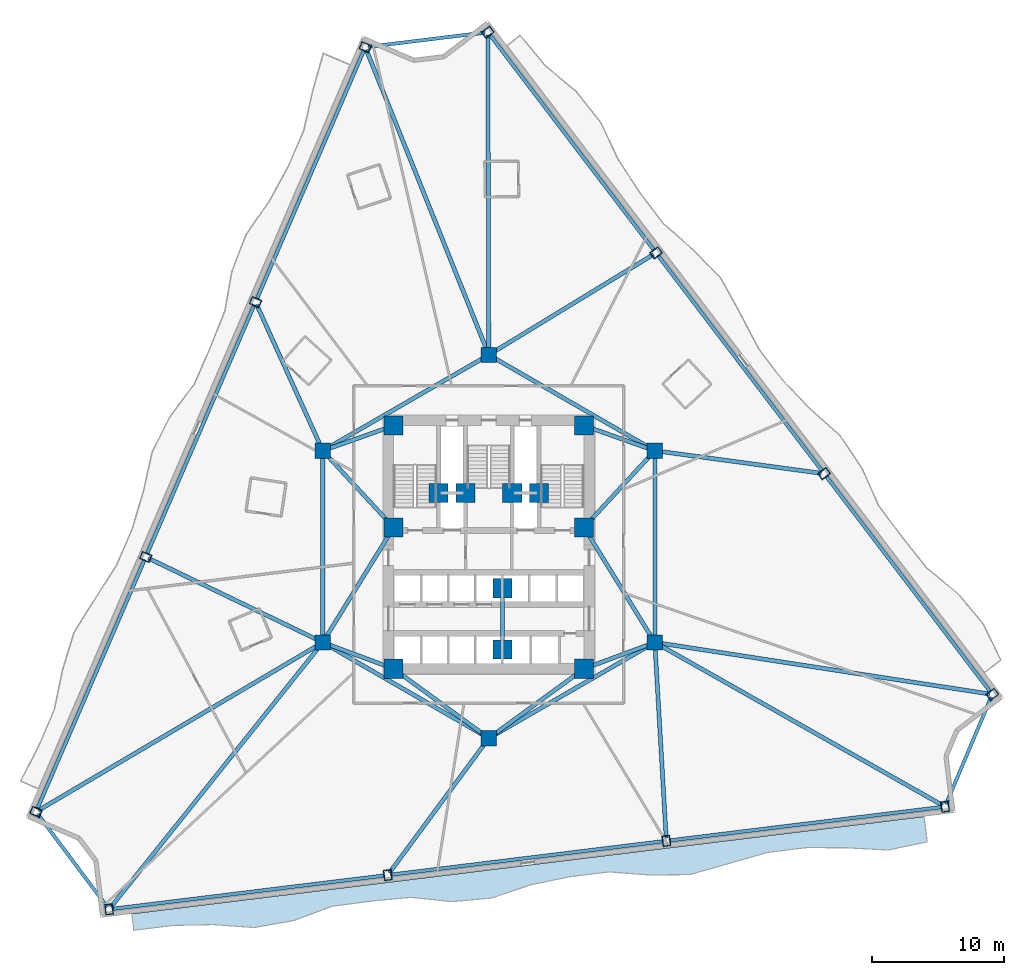
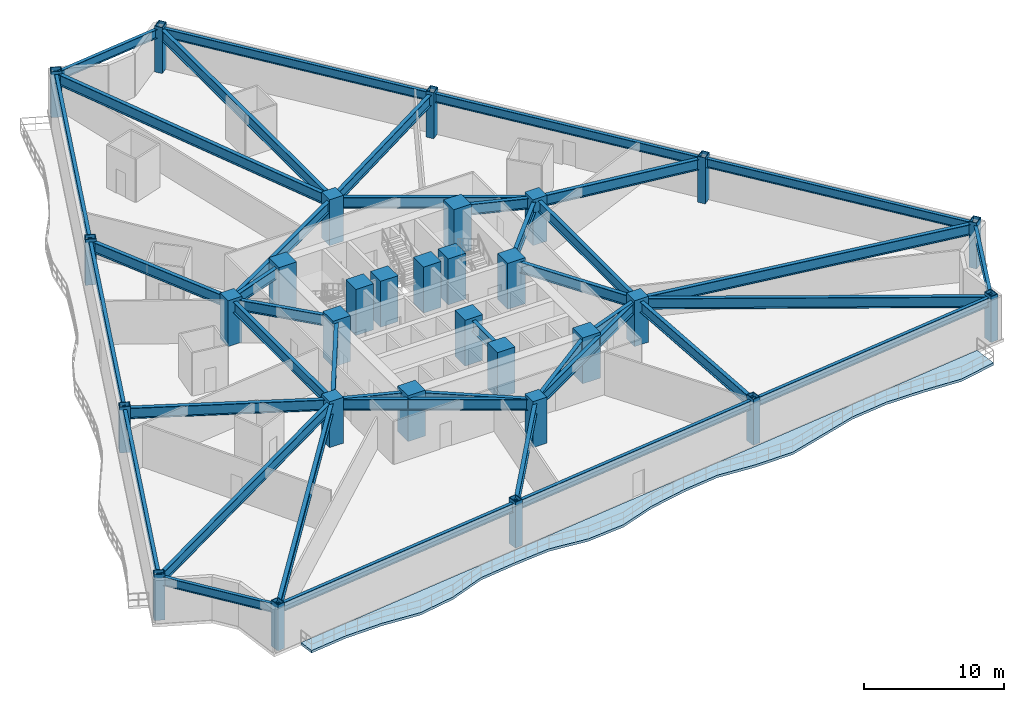
# One storey, part 1 of 12: 41 beams, 30 columns, 1 slab.
"""IFC4 building model written with IfcOpenShell, lengths in metres."""

from ifc_helpers import new_model, si_unit, direction, frame, origin, origin_2d, place, context, subcontext, project, spatial, polyline, rectangle, hollow_rectangle, i_section, outline, extrude, material, layer, layer_set, material_profile, profile_set, type_object, element, save


model = new_model("IFC4")

# Units and contexts
model_context = context("Model", 3, precision=1e-05, world=origin(), true_north=direction((0.0, 1.0)))
body_context = subcontext(model_context, "Body", "Model", "MODEL_VIEW")
ifc_project = project(units=[si_unit("LENGTHUNIT", "METRE"), si_unit("AREAUNIT", "SQUARE_METRE"), si_unit("VOLUMEUNIT", "CUBIC_METRE"), si_unit("PLANEANGLEUNIT", "RADIAN"), si_unit("MASSUNIT", "GRAM", prefix="KILO")], contexts=[model_context])

# Site, building, storey
site_placement = place(None, origin())
site = spatial("IfcSite", under=ifc_project, at=site_placement, CompositionType="ELEMENT")
building_placement = place(site_placement, origin())
building = spatial("IfcBuilding", under=site, at=building_placement, Name="Apsidion Concourse Tower", CompositionType="ELEMENT")
storey_placement = place(building_placement, frame((0.0, 0.0, 83.0)))
storey = spatial("IfcBuildingStorey", under=building, at=storey_placement, Name="L18", CompositionType="ELEMENT", Elevation=83.0)

# Columns
ifc_material_1 = material(Name="Structural steel ASTM A572 Grade 50", Category="steel")
ifc_material_profile_1 = material_profile(ifc_material_1, hollow_rectangle(XDim=0.60009765625, YDim=0.800048828125, WallThickness=0.050048828125, at=origin_2d()), Name="BOX800X600X50")
ifc_profile_set_1 = profile_set([ifc_material_profile_1], Name="Structural steel ASTM A572 Grade 50")
column_type_1 = type_object("IfcColumnType", Name="COL-BOX-800", PredefinedType="COLUMN", material=ifc_profile_set_1)
for number, where, z_axis, x_axis, name in (
    (1, (-9.34423828125, 37.77685546875, 0.0), (0.0, 0.0, 1.0), (0.395545502563, 0.918446381343, 0.0), "L18 Rotated Perimeter Column PC01"),
    (2, (-17.64794921875, 18.49462890625, 0.0), (0.0, 0.0, 1.0), (0.395545502563, 0.918446381343, 0.0), "L18 Rotated Perimeter Column PC02"),
    (3, (-25.95166015625, -0.787353515625, 0.0), (0.0, 0.0, 1.0), (0.395545502563, 0.918446381343, 0.0), "L18 Rotated Perimeter Column PC03"),
    (4, (-34.25537109375, -20.069580078125, 0.0), (0.0, 0.0, 1.0), (0.395545502563, 0.918446381343, 0.0), "L18 Rotated Perimeter Column PC04"),
    (5, (-28.72802734375, -27.4443359375, 0.0), (0.0, 0.0, 1.0), (0.992546151641, 0.121869343405, 0.0), "L18 Rotated Perimeter Column PC05"),
    (6, (-7.647216796875, -24.85595703125, 0.0), (0.0, 0.0, 1.0), (0.992546151641, 0.121869343405, 0.0), "L18 Rotated Perimeter Column PC06"),
    (7, (13.433349609375, -22.267578125, 0.0), (0.0, 0.0, 1.0), (0.992546151641, 0.121869343405, 0.0), "L18 Rotated Perimeter Column PC07"),
    (8, (34.51416015625, -19.67919921875, 0.0), (0.0, 0.0, 1.0), (0.992546151641, 0.121869343405, 0.0), "L18 Rotated Perimeter Column PC08"),
    (9, (38.093017578125, -11.186279296875, 0.0), (0.0, 0.0, 1.0), (-0.605988400266, 0.795473480855, 0.0), "L18 Rotated Perimeter Column PC09"),
    (10, (25.371337890625, 5.514404296875, 0.0), (0.0, 0.0, 1.0), (-0.605988400266, 0.795473480855, 0.0), "L18 Rotated Perimeter Column PC10"),
    (11, (12.6494140625, 22.214599609375, 0.0), (0.0, 0.0, 1.0), (-0.605988400266, 0.795473480855, 0.0), "L18 Rotated Perimeter Column PC11"),
    (12, (-0.072265625, 38.915283203125, 0.0), (0.0, 0.0, 1.0), (-0.605988400266, 0.795473480855, 0.0), "L18 Rotated Perimeter Column PC12"),
):
    element("IfcColumn", number, at=place(storey_placement, frame(where, z_axis=z_axis, x_axis=x_axis)), inside=storey, type_object=column_type_1, Name=name, PredefinedType="COLUMN", context=body_context, shape_type="SweptSolid", body=[
        extrude(hollow_rectangle(XDim=0.60009765625, YDim=0.800048828125, WallThickness=0.050048828125, at=origin_2d()), origin(), (0.0, 0.0, 1.0), 4.0),
    ])
ifc_material_2 = material(Name="Concrete C50/60", Category="concrete")
ifc_material_profile_2 = material_profile(ifc_material_2, rectangle(XDim=1.14990234375, YDim=1.14990234375, at=origin_2d()), Name="RC 1150x1150")
ifc_profile_set_2 = profile_set([ifc_material_profile_2], Name="Concrete C50/60")
column_type_2 = type_object("IfcColumnType", Name="COL-RC-1150", PredefinedType="COLUMN", material=ifc_profile_set_2)
for number, where, z_axis, x_axis, name in (
    (13, (-12.56005859375, -7.25, 0.0), (0.0, 0.0, 1.0), (1.0, 0.0, 0.0), "L18 Interior Spine Column IC1"),
    (14, (12.56005859375, -7.25, 0.0), (0.0, 0.0, 1.0), (1.0, 0.0, 0.0), "L18 Interior Spine Column IC2"),
    (15, (12.56005859375, 7.25, 0.0), (0.0, 0.0, 1.0), (1.0, 0.0, 0.0), "L18 Interior Spine Column IC3"),
    (16, (0.0, 14.5, 0.0), (0.0, 0.0, 1.0), (1.0, 0.0, 0.0), "L18 Interior Spine Column IC4"),
    (17, (-12.56005859375, 7.25, 0.0), (0.0, 0.0, 1.0), (1.0, 0.0, 0.0), "L18 Interior Spine Column IC5"),
    (18, (0.0, -14.5, 0.0), (0.0, 0.0, 1.0), (1.0, 0.0, 0.0), "L18 Interior Spine Column IC6"),
):
    element("IfcColumn", number, at=place(storey_placement, frame(where, z_axis=z_axis, x_axis=x_axis)), inside=storey, type_object=column_type_2, Name=name, PredefinedType="COLUMN", context=body_context, shape_type="SweptSolid", body=[
        extrude(rectangle(XDim=1.14990234375, YDim=1.14990234375, at=origin_2d()), origin(), (0.0, 0.0, 1.0), 4.0),
    ])
ifc_material_3 = material(Name="Concrete C60/75", Category="concrete")
ifc_material_profile_3 = material_profile(ifc_material_3, rectangle(XDim=1.449951171875, YDim=1.449951171875, at=origin_2d()), Name="RC 1450x1450")
ifc_profile_set_3 = profile_set([ifc_material_profile_3], Name="Concrete C60/75")
column_type_3 = type_object("IfcColumnType", Name="COL-RC-1450", PredefinedType="COLUMN", material=ifc_profile_set_3)
for number, where, z_axis, x_axis, name in (
    (19, (-7.199951171875, -9.25, 0.0), (0.0, 0.0, 1.0), (1.0, 0.0, 0.0), "L18 Core Super-Column SC1"),
    (20, (7.199951171875, -9.25, 0.0), (0.0, 0.0, 1.0), (1.0, 0.0, 0.0), "L18 Core Super-Column SC2"),
    (21, (7.199951171875, 1.449951171875, 0.0), (0.0, 0.0, 1.0), (1.0, 0.0, 0.0), "L18 Core Super-Column SC3"),
    (22, (7.199951171875, 9.14990234375, 0.0), (0.0, 0.0, 1.0), (1.0, 0.0, 0.0), "L18 Core Super-Column SC4"),
    (23, (-7.199951171875, 9.14990234375, 0.0), (0.0, 0.0, 1.0), (1.0, 0.0, 0.0), "L18 Core Super-Column SC5"),
    (24, (-7.199951171875, 1.449951171875, 0.0), (0.0, 0.0, 1.0), (1.0, 0.0, 0.0), "L18 Core Super-Column SC6"),
    (25, (-3.800048828125, 4.050048828125, 0.0), (0.0, 0.0, 1.0), (1.0, 0.0, 0.0), "L18 Core Super-Column CC1"),
    (26, (3.800048828125, 4.050048828125, 0.0), (0.0, 0.0, 1.0), (1.0, 0.0, 0.0), "L18 Core Super-Column CC2"),
    (27, (-1.77490234375, 4.050048828125, 0.0), (0.0, 0.0, 1.0), (1.0, 0.0, 0.0), "L18 Core Super-Column CC3"),
    (28, (1.77490234375, 4.050048828125, 0.0), (0.0, 0.0, 1.0), (1.0, 0.0, 0.0), "L18 Core Super-Column CC4"),
    (29, (1.02490234375, -3.14990234375, 0.0), (0.0, 0.0, 1.0), (1.0, 0.0, 0.0), "L18 Core Super-Column CC5"),
    (30, (1.02490234375, -7.800048828125, 0.0), (0.0, 0.0, 1.0), (1.0, 0.0, 0.0), "L18 Core Super-Column CC6"),
):
    element("IfcColumn", number, at=place(storey_placement, frame(where, z_axis=z_axis, x_axis=x_axis)), inside=storey, type_object=column_type_3, Name=name, PredefinedType="COLUMN", context=body_context, shape_type="SweptSolid", body=[
        extrude(rectangle(XDim=1.449951171875, YDim=1.449951171875, at=origin_2d()), origin(), (0.0, 0.0, 1.0), 4.0),
    ])

# Beams
ifc_material_4 = material(Name="Structural steel ASTM A992 Grade 50", Category="steel")
ifc_material_profile_4 = material_profile(ifc_material_4, i_section(OverallWidth=0.31005859375, OverallDepth=0.931884765625, WebThickness=0.02099609375, FlangeThickness=0.034423828125, at=origin_2d()), Name="W36X210")
ifc_profile_set_4 = profile_set([ifc_material_profile_4], Name="Structural steel ASTM A992 Grade 50")
beam_type_1 = type_object("IfcBeamType", Name="BM-G-W36", PredefinedType="USERDEFINED", material=ifc_profile_set_4)
beam_1_placement = place(storey_placement, frame((-12.185302734375, -7.389892578125, 3.283935546875), z_axis=(0.936913021145, -0.349562570664, 0.0), x_axis=(0.349562570664, 0.936913021145, 0.0)))
element("IfcBeam", 31, at=beam_1_placement, inside=storey, type_object=beam_type_1, Name="L18 Core Coupling Girder IC1-SC1", ObjectType="GIRDER", PredefinedType="USERDEFINED", context=body_context, shape_type="SweptSolid", body=[
    extrude(i_section(OverallWidth=0.31005859375, OverallDepth=0.931884765625, WebThickness=0.02099609375, FlangeThickness=0.034423828125, at=origin_2d()), origin(), (0.0, 0.0, 1.0), 4.921142578125),
])
beam_2_placement = place(storey_placement, frame((-12.35009765625, -6.909423828125, 3.283935546875), z_axis=(0.524524009763, 0.851395656074, 0.0), x_axis=(-0.851395656074, 0.524524009763, 0.0)))
element("IfcBeam", 32, at=beam_2_placement, inside=storey, type_object=beam_type_1, Name="L18 Core Coupling Girder IC1-SC6", ObjectType="GIRDER", PredefinedType="USERDEFINED", context=body_context, shape_type="SweptSolid", body=[
    extrude(i_section(OverallWidth=0.31005859375, OverallDepth=0.931884765625, WebThickness=0.02099609375, FlangeThickness=0.034423828125, at=origin_2d()), origin(), (0.0, 0.0, 1.0), 9.41845703125),
])
beam_3_placement = place(storey_placement, frame((12.185302734375, -7.389892578125, 3.283935546875), z_axis=(-0.936913021145, -0.349562570664, 0.0), x_axis=(0.349562570664, -0.936913021145, 0.0)))
element("IfcBeam", 33, at=beam_3_placement, inside=storey, type_object=beam_type_1, Name="L18 Core Coupling Girder IC2-SC2", ObjectType="GIRDER", PredefinedType="USERDEFINED", context=body_context, shape_type="SweptSolid", body=[
    extrude(i_section(OverallWidth=0.31005859375, OverallDepth=0.931884765625, WebThickness=0.02099609375, FlangeThickness=0.034423828125, at=origin_2d()), origin(), (0.0, 0.0, 1.0), 4.921142578125),
])
beam_4_placement = place(storey_placement, frame((12.35009765625, -6.909423828125, 3.283935546875), z_axis=(-0.524524009763, 0.851395656074, 0.0), x_axis=(-0.851395656074, -0.524524009763, 0.0)))
element("IfcBeam", 34, at=beam_4_placement, inside=storey, type_object=beam_type_1, Name="L18 Core Coupling Girder IC2-SC3", ObjectType="GIRDER", PredefinedType="USERDEFINED", context=body_context, shape_type="SweptSolid", body=[
    extrude(i_section(OverallWidth=0.31005859375, OverallDepth=0.931884765625, WebThickness=0.02099609375, FlangeThickness=0.034423828125, at=origin_2d()), origin(), (0.0, 0.0, 1.0), 9.41845703125),
])
beam_5_placement = place(storey_placement, frame((12.28857421875, 6.956298828125, 3.283935546875), z_axis=(-0.678712876106, -0.73440372535, 0.0), x_axis=(0.73440372535, -0.678712876106, 0.0)))
element("IfcBeam", 35, at=beam_5_placement, inside=storey, type_object=beam_type_1, Name="L18 Core Coupling Girder IC3-SC3", ObjectType="GIRDER", PredefinedType="USERDEFINED", context=body_context, shape_type="SweptSolid", body=[
    extrude(i_section(OverallWidth=0.31005859375, OverallDepth=0.931884765625, WebThickness=0.02099609375, FlangeThickness=0.034423828125, at=origin_2d()), origin(), (0.0, 0.0, 1.0), 7.097412109375),
])
beam_6_placement = place(storey_placement, frame((12.18310546875, 7.383544921875, 3.283935546875), z_axis=(-0.942533844539, 0.334110688094, 0.0), x_axis=(-0.334110688094, -0.942533844539, 0.0)))
element("IfcBeam", 36, at=beam_6_placement, inside=storey, type_object=beam_type_1, Name="L18 Core Coupling Girder IC3-SC4", ObjectType="GIRDER", PredefinedType="USERDEFINED", context=body_context, shape_type="SweptSolid", body=[
    extrude(i_section(OverallWidth=0.31005859375, OverallDepth=0.931884765625, WebThickness=0.02099609375, FlangeThickness=0.034423828125, at=origin_2d()), origin(), (0.0, 0.0, 1.0), 4.886962890625),
])
beam_7_placement = place(storey_placement, frame((-12.28857421875, 6.956298828125, 3.283935546875), z_axis=(0.678712876106, -0.73440372535, 0.0), x_axis=(0.73440372535, 0.678712876106, 0.0)))
element("IfcBeam", 37, at=beam_7_placement, inside=storey, type_object=beam_type_1, Name="L18 Core Coupling Girder IC5-SC6", ObjectType="GIRDER", PredefinedType="USERDEFINED", context=body_context, shape_type="SweptSolid", body=[
    extrude(i_section(OverallWidth=0.31005859375, OverallDepth=0.931884765625, WebThickness=0.02099609375, FlangeThickness=0.034423828125, at=origin_2d()), origin(), (0.0, 0.0, 1.0), 7.097412109375),
])
beam_8_placement = place(storey_placement, frame((-12.18310546875, 7.383544921875, 3.283935546875), z_axis=(0.942533844539, 0.334110688094, 0.0), x_axis=(-0.334110688094, 0.942533844539, 0.0)))
element("IfcBeam", 38, at=beam_8_placement, inside=storey, type_object=beam_type_1, Name="L18 Core Coupling Girder IC5-SC5", ObjectType="GIRDER", PredefinedType="USERDEFINED", context=body_context, shape_type="SweptSolid", body=[
    extrude(i_section(OverallWidth=0.31005859375, OverallDepth=0.931884765625, WebThickness=0.02099609375, FlangeThickness=0.034423828125, at=origin_2d()), origin(), (0.0, 0.0, 1.0), 4.886962890625),
])
for number, where, z_axis, x_axis, name in (
    (39, (-0.3232421875, -14.264404296875, 3.283935546875), (-0.807993498909, 0.589191399905, 0.0), (-0.589191399905, -0.807993498909, 0.0), "L18 Core Coupling Girder IC6-SC1"),
    (40, (0.3232421875, -14.264404296875, 3.283935546875), (0.807993498909, 0.589191399905, 0.0), (-0.589191399905, 0.807993498909, 0.0), "L18 Core Coupling Girder IC6-SC2"),
):
    element("IfcBeam", number, at=place(storey_placement, frame(where, z_axis=z_axis, x_axis=x_axis)), inside=storey, type_object=beam_type_1, Name=name, ObjectType="GIRDER", PredefinedType="USERDEFINED", context=body_context, shape_type="SweptSolid", body=[
        extrude(i_section(OverallWidth=0.31005859375, OverallDepth=0.931884765625, WebThickness=0.02099609375, FlangeThickness=0.034423828125, at=origin_2d()), origin(), (0.0, 0.0, 1.0), 8.11083984375),
    ])
beam_9_placement = place(storey_placement, frame((-12.56005859375, -6.85009765625, 3.283935546875), z_axis=(0.0, 1.0, 0.0), x_axis=(-1.0, 0.0, 0.0)))
element("IfcBeam", 41, at=beam_9_placement, inside=storey, type_object=beam_type_1, Name="L18 Core Coupling Girder IC1-IC5", ObjectType="GIRDER", PredefinedType="USERDEFINED", context=body_context, shape_type="SweptSolid", body=[
    extrude(i_section(OverallWidth=0.31005859375, OverallDepth=0.931884765625, WebThickness=0.02099609375, FlangeThickness=0.034423828125, at=origin_2d()), origin(), (0.0, 0.0, 1.0), 13.7001953125),
])
for number, where, z_axis, x_axis, name in (
    (42, (-12.213623046875, 7.449951171875, 3.283935546875), (0.866070471464, 0.499921932364, 0.0), (-0.499921932364, 0.866070471464, 0.0), "L18 Core Coupling Girder IC5-IC4"),
    (43, (0.346435546875, 14.300048828125, 3.283935546875), (0.866070471464, -0.499921932364, 0.0), (0.499921932364, 0.866070471464, 0.0), "L18 Core Coupling Girder IC4-IC3"),
):
    element("IfcBeam", number, at=place(storey_placement, frame(where, z_axis=z_axis, x_axis=x_axis)), inside=storey, type_object=beam_type_1, Name=name, ObjectType="GIRDER", PredefinedType="USERDEFINED", context=body_context, shape_type="SweptSolid", body=[
        extrude(i_section(OverallWidth=0.31005859375, OverallDepth=0.931884765625, WebThickness=0.02099609375, FlangeThickness=0.034423828125, at=origin_2d()), origin(), (0.0, 0.0, 1.0), 13.702392578125),
    ])
beam_10_placement = place(storey_placement, frame((12.56005859375, 6.85009765625, 3.283935546875), z_axis=(0.0, -1.0, 0.0), x_axis=(1.0, 0.0, 0.0)))
element("IfcBeam", 44, at=beam_10_placement, inside=storey, type_object=beam_type_1, Name="L18 Core Coupling Girder IC3-IC2", ObjectType="GIRDER", PredefinedType="USERDEFINED", context=body_context, shape_type="SweptSolid", body=[
    extrude(i_section(OverallWidth=0.31005859375, OverallDepth=0.931884765625, WebThickness=0.02099609375, FlangeThickness=0.034423828125, at=origin_2d()), origin(), (0.0, 0.0, 1.0), 13.7001953125),
])
for number, where, z_axis, x_axis, name in (
    (45, (12.213623046875, -7.449951171875, 3.283935546875), (-0.866070471464, -0.499921932364, 0.0), (0.499921932364, -0.866070471464, 0.0), "L18 Core Coupling Girder IC2-IC6"),
    (46, (-0.346435546875, -14.300048828125, 3.283935546875), (-0.866070471464, 0.499921932364, 0.0), (-0.499921932364, -0.866070471464, 0.0), "L18 Core Coupling Girder IC6-IC1"),
):
    element("IfcBeam", number, at=place(storey_placement, frame(where, z_axis=z_axis, x_axis=x_axis)), inside=storey, type_object=beam_type_1, Name=name, ObjectType="GIRDER", PredefinedType="USERDEFINED", context=body_context, shape_type="SweptSolid", body=[
        extrude(i_section(OverallWidth=0.31005859375, OverallDepth=0.931884765625, WebThickness=0.02099609375, FlangeThickness=0.034423828125, at=origin_2d()), origin(), (0.0, 0.0, 1.0), 13.702392578125),
    ])
beam_11_placement = place(storey_placement, frame((1.02490234375, -3.550048828125, 3.283935546875), z_axis=(0.0, -1.0, 0.0), x_axis=(1.0, 0.0, 0.0)))
element("IfcBeam", 47, at=beam_11_placement, inside=storey, type_object=beam_type_1, Name="L18 Core Coupling Girder CC5-CC6", ObjectType="GIRDER", PredefinedType="USERDEFINED", context=body_context, shape_type="SweptSolid", body=[
    extrude(i_section(OverallWidth=0.31005859375, OverallDepth=0.931884765625, WebThickness=0.02099609375, FlangeThickness=0.034423828125, at=origin_2d()), origin(), (0.0, 0.0, 1.0), 3.849853515625),
])
beam_12_placement = place(storey_placement, frame((-0.08203125, 14.7041015625, 3.283935546875), z_axis=(-0.372538285094, 0.928016824276, 0.0), x_axis=(-0.928016824276, -0.372538285094, 0.0)))
element("IfcBeam", 48, at=beam_12_placement, inside=storey, type_object=beam_type_1, Name="L18 Radial Floor Girder RAD-01", ObjectType="GIRDER", PredefinedType="USERDEFINED", context=body_context, shape_type="SweptSolid", body=[
    extrude(i_section(OverallWidth=0.31005859375, OverallDepth=0.931884765625, WebThickness=0.02099609375, FlangeThickness=0.034423828125, at=origin_2d()), origin(), (0.0, 0.0, 1.0), 24.642333984375),
])
beam_13_placement = place(storey_placement, frame((-12.650634765625, 7.450439453125, 3.283935546875), z_axis=(-0.412253816474, 0.911069037342, 0.0), x_axis=(-0.911069037342, -0.412253816474, 0.0)))
element("IfcBeam", 49, at=beam_13_placement, inside=storey, type_object=beam_type_1, Name="L18 Radial Floor Girder RAD-02", ObjectType="GIRDER", PredefinedType="USERDEFINED", context=body_context, shape_type="SweptSolid", body=[
    extrude(i_section(OverallWidth=0.31005859375, OverallDepth=0.931884765625, WebThickness=0.02099609375, FlangeThickness=0.034423828125, at=origin_2d()), origin(), (0.0, 0.0, 1.0), 11.90234375),
])
beam_14_placement = place(storey_placement, frame((-12.758056640625, -7.154296875, 3.283935546875), z_axis=(-0.900619466143, 0.434608533286, 0.0), x_axis=(-0.434608533286, -0.900619466143, 0.0)))
element("IfcBeam", 50, at=beam_14_placement, inside=storey, type_object=beam_type_1, Name="L18 Radial Floor Girder RAD-03", ObjectType="GIRDER", PredefinedType="USERDEFINED", context=body_context, shape_type="SweptSolid", body=[
    extrude(i_section(OverallWidth=0.31005859375, OverallDepth=0.931884765625, WebThickness=0.02099609375, FlangeThickness=0.034423828125, at=origin_2d()), origin(), (0.0, 0.0, 1.0), 14.4296875),
])
beam_15_placement = place(storey_placement, frame((-12.74951171875, -7.36181640625, 3.283935546875), z_axis=(-0.860932809824, -0.508718681561, 0.0), x_axis=(0.508718681561, -0.860932809824, 0.0)))
element("IfcBeam", 51, at=beam_15_placement, inside=storey, type_object=beam_type_1, Name="L18 Radial Floor Girder RAD-04", ObjectType="GIRDER", PredefinedType="USERDEFINED", context=body_context, shape_type="SweptSolid", body=[
    extrude(i_section(OverallWidth=0.31005859375, OverallDepth=0.931884765625, WebThickness=0.02099609375, FlangeThickness=0.034423828125, at=origin_2d()), origin(), (0.0, 0.0, 1.0), 24.759765625),
])
beam_16_placement = place(storey_placement, frame((-12.697509765625, -7.421630859375, 3.283935546875), z_axis=(-0.624987708563, -0.780634590667, 0.0), x_axis=(0.780634590667, -0.624987708563, 0.0)))
element("IfcBeam", 52, at=beam_16_placement, inside=storey, type_object=beam_type_1, Name="L18 Radial Floor Girder RAD-05", ObjectType="GIRDER", PredefinedType="USERDEFINED", context=body_context, shape_type="SweptSolid", body=[
    extrude(i_section(OverallWidth=0.31005859375, OverallDepth=0.931884765625, WebThickness=0.02099609375, FlangeThickness=0.034423828125, at=origin_2d()), origin(), (0.0, 0.0, 1.0), 25.429443359375),
])
beam_17_placement = place(storey_placement, frame((-0.130615234375, -14.677001953125, 3.283935546875), z_axis=(-0.594039313688, -0.804436009757, 0.0), x_axis=(0.804436009757, -0.594039313688, 0.0)))
element("IfcBeam", 53, at=beam_17_placement, inside=storey, type_object=beam_type_1, Name="L18 Radial Floor Girder RAD-06", ObjectType="GIRDER", PredefinedType="USERDEFINED", context=body_context, shape_type="SweptSolid", body=[
    extrude(i_section(OverallWidth=0.31005859375, OverallDepth=0.931884765625, WebThickness=0.02099609375, FlangeThickness=0.034423828125, at=origin_2d()), origin(), (0.0, 0.0, 1.0), 12.43359375),
])
beam_18_placement = place(storey_placement, frame((12.57275390625, -7.469482421875, 3.283935546875), z_axis=(0.058062445762, -0.998312953133, 0.0), x_axis=(0.998312953133, 0.058062445762, 0.0)))
element("IfcBeam", 54, at=beam_18_placement, inside=storey, type_object=beam_type_1, Name="L18 Radial Floor Girder RAD-07", ObjectType="GIRDER", PredefinedType="USERDEFINED", context=body_context, shape_type="SweptSolid", body=[
    extrude(i_section(OverallWidth=0.31005859375, OverallDepth=0.931884765625, WebThickness=0.02099609375, FlangeThickness=0.034423828125, at=origin_2d()), origin(), (0.0, 0.0, 1.0), 14.603271484375),
])
beam_19_placement = place(storey_placement, frame((12.75146484375, -7.3583984375, 3.283935546875), z_axis=(0.870218136179, -0.492666616958, 0.0), x_axis=(0.492666616958, 0.870218136179, 0.0)))
element("IfcBeam", 55, at=beam_19_placement, inside=storey, type_object=beam_type_1, Name="L18 Radial Floor Girder RAD-08", ObjectType="GIRDER", PredefinedType="USERDEFINED", context=body_context, shape_type="SweptSolid", body=[
    extrude(i_section(OverallWidth=0.31005859375, OverallDepth=0.931884765625, WebThickness=0.02099609375, FlangeThickness=0.034423828125, at=origin_2d()), origin(), (0.0, 0.0, 1.0), 24.788330078125),
])
beam_20_placement = place(storey_placement, frame((12.77734375, -7.283447265625, 3.283935546875), z_axis=(0.98832519419, -0.152359149806, 0.0), x_axis=(0.152359149806, 0.98832519419, 0.0)))
element("IfcBeam", 56, at=beam_20_placement, inside=storey, type_object=beam_type_1, Name="L18 Radial Floor Girder RAD-09", ObjectType="GIRDER", PredefinedType="USERDEFINED", context=body_context, shape_type="SweptSolid", body=[
    extrude(i_section(OverallWidth=0.31005859375, OverallDepth=0.931884765625, WebThickness=0.02099609375, FlangeThickness=0.034423828125, at=origin_2d()), origin(), (0.0, 0.0, 1.0), 25.394775390625),
])
beam_21_placement = place(storey_placement, frame((12.778076171875, 7.220458984375, 3.283935546875), z_axis=(0.990945318587, -0.134266062618, 0.0), x_axis=(0.134266062618, 0.990945318587, 0.0)))
element("IfcBeam", 57, at=beam_21_placement, inside=storey, type_object=beam_type_1, Name="L18 Radial Floor Girder RAD-10", ObjectType="GIRDER", PredefinedType="USERDEFINED", context=body_context, shape_type="SweptSolid", body=[
    extrude(i_section(OverallWidth=0.31005859375, OverallDepth=0.931884765625, WebThickness=0.02099609375, FlangeThickness=0.034423828125, at=origin_2d()), origin(), (0.0, 0.0, 1.0), 12.48828125),
])
beam_22_placement = place(storey_placement, frame((0.187744140625, 14.614501953125, 3.283935546875), z_axis=(0.853749961822, 0.520683207611, 0.0), x_axis=(-0.520683207611, 0.853749961822, 0.0)))
element("IfcBeam", 58, at=beam_22_placement, inside=storey, type_object=beam_type_1, Name="L18 Radial Floor Girder RAD-11", ObjectType="GIRDER", PredefinedType="USERDEFINED", context=body_context, shape_type="SweptSolid", body=[
    extrude(i_section(OverallWidth=0.31005859375, OverallDepth=0.931884765625, WebThickness=0.02099609375, FlangeThickness=0.034423828125, at=origin_2d()), origin(), (0.0, 0.0, 1.0), 14.37646484375),
])
beam_23_placement = place(storey_placement, frame((-0.000732421875, 14.719970703125, 3.283935546875), z_axis=(-0.002953053731, 0.999995639727, 0.0), x_axis=(-0.999995639727, -0.002953053731, 0.0)))
element("IfcBeam", 59, at=beam_23_placement, inside=storey, type_object=beam_type_1, Name="L18 Radial Floor Girder RAD-12", ObjectType="GIRDER", PredefinedType="USERDEFINED", context=body_context, shape_type="SweptSolid", body=[
    extrude(i_section(OverallWidth=0.31005859375, OverallDepth=0.931884765625, WebThickness=0.02099609375, FlangeThickness=0.034423828125, at=origin_2d()), origin(), (0.0, 0.0, 1.0), 23.975341796875),
])
ifc_material_profile_5 = material_profile(ifc_material_4, i_section(OverallWidth=0.26806640625, OverallDepth=0.77001953125, WebThickness=0.015625, FlangeThickness=0.025390625, at=origin_2d()), Name="W30X132")
ifc_profile_set_5 = profile_set([ifc_material_profile_5], Name="Structural steel ASTM A992 Grade 50")
beam_type_2 = type_object("IfcBeamType", Name="BM-SP-W30", PredefinedType="SPANDREL", material=ifc_profile_set_5)
beam_24_placement = place(storey_placement, frame((-9.431396484375, 37.57470703125, 3.364990234375), z_axis=(-0.395525708749, -0.918454905653, 0.0), x_axis=(0.918454905653, -0.395525708749, 0.0)))
element("IfcBeam", 60, at=beam_24_placement, inside=storey, type_object=beam_type_2, Name="L18 Perimeter Spandrel Girder SP-01", PredefinedType="SPANDREL", context=body_context, shape_type="SweptSolid", body=[
    extrude(i_section(OverallWidth=0.26806640625, OverallDepth=0.77001953125, WebThickness=0.015625, FlangeThickness=0.025390625, at=origin_2d()), origin(), (0.0, 0.0, 1.0), 20.553955078125),
])
beam_25_placement = place(storey_placement, frame((-17.735107421875, 18.29248046875, 3.364990234375), z_axis=(-0.395530023745, -0.918453047421, 0.0), x_axis=(0.918453047421, -0.395530023745, 0.0)))
element("IfcBeam", 61, at=beam_25_placement, inside=storey, type_object=beam_type_2, Name="L18 Perimeter Spandrel Girder SP-02", PredefinedType="SPANDREL", context=body_context, shape_type="SweptSolid", body=[
    extrude(i_section(OverallWidth=0.26806640625, OverallDepth=0.77001953125, WebThickness=0.015625, FlangeThickness=0.025390625, at=origin_2d()), origin(), (0.0, 0.0, 1.0), 20.5537109375),
])
beam_26_placement = place(storey_placement, frame((-26.038818359375, -0.989501953125, 3.364990234375), z_axis=(-0.395525708749, -0.918454905653, 0.0), x_axis=(0.918454905653, -0.395525708749, 0.0)))
element("IfcBeam", 62, at=beam_26_placement, inside=storey, type_object=beam_type_2, Name="L18 Perimeter Spandrel Girder SP-03", PredefinedType="SPANDREL", context=body_context, shape_type="SweptSolid", body=[
    extrude(i_section(OverallWidth=0.26806640625, OverallDepth=0.77001953125, WebThickness=0.015625, FlangeThickness=0.025390625, at=origin_2d()), origin(), (0.0, 0.0, 1.0), 20.553955078125),
])
beam_27_placement = place(storey_placement, frame((-34.12353515625, -20.24560546875, 3.364990234375), z_axis=(0.59973736177, -0.800196911327, 0.0), x_axis=(0.800196911327, 0.59973736177, 0.0)))
element("IfcBeam", 63, at=beam_27_placement, inside=storey, type_object=beam_type_2, Name="L18 Perimeter Spandrel Girder SP-04", PredefinedType="SPANDREL", context=body_context, shape_type="SweptSolid", body=[
    extrude(i_section(OverallWidth=0.26806640625, OverallDepth=0.77001953125, WebThickness=0.015625, FlangeThickness=0.025390625, at=origin_2d()), origin(), (0.0, 0.0, 1.0), 8.776123046875),
])
for number, where, z_axis, x_axis, name in (
    (64, (-28.509765625, -27.41748046875, 3.364990234375), (0.992546743565, 0.121864522478, 0.0), (-0.121864522478, 0.992546743565, 0.0), "L18 Perimeter Spandrel Girder SP-05"),
    (65, (-7.428955078125, -24.8291015625, 3.364990234375), (0.992546743565, 0.121864522478, 0.0), (-0.121864522478, 0.992546743565, 0.0), "L18 Perimeter Spandrel Girder SP-06"),
    (66, (13.65185546875, -22.24072265625, 3.364990234375), (0.992546743565, 0.121864522478, 0.0), (-0.121864522478, 0.992546743565, 0.0), "L18 Perimeter Spandrel Girder SP-07"),
):
    element("IfcBeam", number, at=place(storey_placement, frame(where, z_axis=z_axis, x_axis=x_axis)), inside=storey, type_object=beam_type_2, Name=name, PredefinedType="SPANDREL", context=body_context, shape_type="SweptSolid", body=[
        extrude(i_section(OverallWidth=0.26806640625, OverallDepth=0.77001953125, WebThickness=0.015625, FlangeThickness=0.025390625, at=origin_2d()), origin(), (0.0, 0.0, 1.0), 20.799072265625),
    ])
beam_28_placement = place(storey_placement, frame((34.599609375, -19.4765625, 3.364990234375), z_axis=(0.388335552383, 0.921518040385, 0.0), x_axis=(-0.921518040385, 0.388335552383, 0.0)))
element("IfcBeam", 67, at=beam_28_placement, inside=storey, type_object=beam_type_2, Name="L18 Perimeter Spandrel Girder SP-08", PredefinedType="SPANDREL", context=body_context, shape_type="SweptSolid", body=[
    extrude(i_section(OverallWidth=0.26806640625, OverallDepth=0.77001953125, WebThickness=0.015625, FlangeThickness=0.025390625, at=origin_2d()), origin(), (0.0, 0.0, 1.0), 8.7763671875),
])
for number, where, z_axis, x_axis, name in (
    (68, (37.959716796875, -11.01123046875, 3.364990234375), (-0.605965911945, 0.795490611862, 0.0), (-0.795490611862, -0.605965911945, 0.0), "L18 Perimeter Spandrel Girder SP-09"),
    (69, (25.238037109375, 5.689208984375, 3.364990234375), (-0.605973428299, 0.795484886215, 0.0), (-0.795484886215, -0.605973428299, 0.0), "L18 Perimeter Spandrel Girder SP-10"),
    (70, (12.51611328125, 22.3896484375, 3.364990234375), (-0.605965911945, 0.795490611862, 0.0), (-0.795490611862, -0.605965911945, 0.0), "L18 Perimeter Spandrel Girder SP-11"),
):
    element("IfcBeam", number, at=place(storey_placement, frame(where, z_axis=z_axis, x_axis=x_axis)), inside=storey, type_object=beam_type_2, Name=name, PredefinedType="SPANDREL", context=body_context, shape_type="SweptSolid", body=[
        extrude(i_section(OverallWidth=0.26806640625, OverallDepth=0.77001953125, WebThickness=0.015625, FlangeThickness=0.025390625, at=origin_2d()), origin(), (0.0, 0.0, 1.0), 20.55419921875),
    ])
beam_29_placement = place(storey_placement, frame((-0.290771484375, 38.888427734375, 3.364990234375), z_axis=(-0.992547646047, -0.121857171831, 0.0), x_axis=(0.121857171831, -0.992547646047, 0.0)))
element("IfcBeam", 71, at=beam_29_placement, inside=storey, type_object=beam_type_2, Name="L18 Perimeter Spandrel Girder SP-12", PredefinedType="SPANDREL", context=body_context, shape_type="SweptSolid", body=[
    extrude(i_section(OverallWidth=0.26806640625, OverallDepth=0.77001953125, WebThickness=0.015625, FlangeThickness=0.025390625, at=origin_2d()), origin(), (0.0, 0.0, 1.0), 8.901611328125),
])

# Slab
ifc_layer = layer(ifc_material_2, 0.219970703125)
ifc_layer_set = layer_set([ifc_layer], Name="Concrete C50/60")
slab_type = type_object("IfcSlabType", Name="SL-BAL-220", PredefinedType="FLOOR", material=ifc_layer_set)
slab_placement = place(storey_placement, frame((0.0, 0.0, -0.219970703125)))
element("IfcSlab", 72, at=slab_placement, inside=storey, type_object=slab_type, Name="L18 Face 2 Rippling Balcony Slab", PredefinedType="FLOOR", context=body_context, shape_type="SweptSolid", body=[
    extrude(outline(polyline([(-27.01171875, -27.78759765625), (-24.014404296875, -27.419677734375), (-21.017333984375, -27.0517578125), (-18.02001953125, -26.68359375), (-15.02294921875, -26.315673828125), (-12.02587890625, -25.94775390625), (-9.028564453125, -25.57958984375), (-6.031494140625, -25.211669921875), (-3.0341796875, -24.84375), (-0.037109375, -24.4755859375), (2.9599609375, -24.107666015625), (5.957275390625, -23.73974609375), (8.954345703125, -23.37158203125), (11.951416015625, -23.003662109375), (14.94873046875, -22.6357421875), (17.94580078125, -22.267578125), (20.943115234375, -21.899658203125), (23.940185546875, -21.53173828125), (26.9375, -21.163818359375), (29.9345703125, -20.795654296875), (32.931640625, -20.427734375), (33.167236328125, -22.3466796875), (30.2001953125, -22.9599609375), (27.13720703125, -22.79150390625), (24.092529296875, -22.7724609375), (21.095458984375, -23.140380859375), (18.156494140625, -23.982421875), (15.21630859375, -24.8154296875), (12.177978515625, -24.847412109375), (9.106689453125, -24.6123046875), (6.109619140625, -24.98046875), (3.142822265625, -25.596435546875), (0.22265625, -26.591552734375), (-2.785888671875, -26.865478515625), (-5.868896484375, -26.535888671875), (-8.876220703125, -26.8203125), (-11.8701171875, -27.21630859375), (-14.77978515625, -28.2958984375), (-17.75732421875, -28.82373046875), (-20.8271484375, -28.60009765625), (-23.862060546875, -28.660400390625), (-26.859375, -29.0283203125), (-27.01171875, -27.78759765625)])), origin(), (0.0, 0.0, 1.0), 0.219970703125),
])

save(model, "model.ifc")
